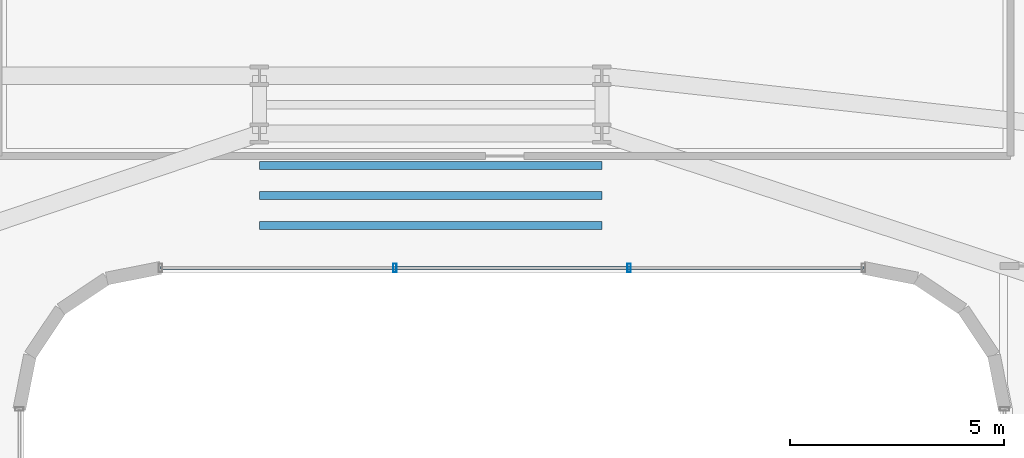
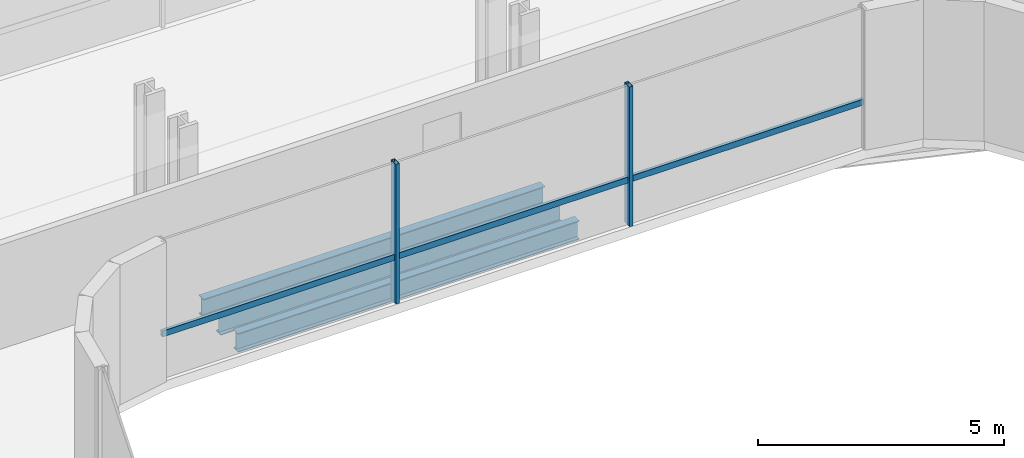
# One storey, part 14 of 39: 3 beams, 3 members, 1 element without a shape of its own.
"""IFC4 building model written with IfcOpenShell, lengths in metres."""

from ifc_helpers import new_model, si_unit, direction, frame, origin, origin_2d, place, context, subcontext, project, spatial, hollow_rectangle, i_section, extrude, source, transform, mapped, material, material_profile, profile_set, type_object, element, aggregate, save


model = new_model("IFC4")

# Units and contexts
model_context = context("Model", 3, precision=1e-05, world=origin(), true_north=direction((0.0, 1.0)))
body_context = subcontext(model_context, "Body", "Model", "MODEL_VIEW")
ifc_project = project(units=[si_unit("LENGTHUNIT", "METRE"), si_unit("AREAUNIT", "SQUARE_METRE"), si_unit("VOLUMEUNIT", "CUBIC_METRE"), si_unit("PLANEANGLEUNIT", "RADIAN"), si_unit("MASSUNIT", "GRAM", prefix="KILO")], contexts=[model_context])

# Site, building, storey
site_placement = place(None, origin())
site = spatial("IfcSite", under=ifc_project, at=site_placement, CompositionType="ELEMENT")
building_placement = place(site_placement, origin())
building = spatial("IfcBuilding", under=site, at=building_placement, Name="Valdorenza Pilgrim Sanctuary Tower", CompositionType="ELEMENT")
storey_placement = place(building_placement, frame((0.0, 0.0, 70.39990234375)))
storey = spatial("IfcBuildingStorey", under=building, at=storey_placement, Name="L17", CompositionType="ELEMENT", Elevation=70.39990234375)

# Beams
ifc_material_1 = material(Name="Steel ASTM A992 Grade 50", Category="steel")
ifc_material_profile_1 = material_profile(ifc_material_1, i_section(OverallWidth=0.193115234375, OverallDepth=0.466064453125, WebThickness=0.011474609375, FlangeThickness=0.01904296875, at=origin_2d()), Name="W18X65")
ifc_profile_set_1 = profile_set([ifc_material_profile_1], Name="Steel ASTM A992 Grade 50")
beam_type = type_object("IfcBeamType", Name="STR-BM-JST-W18A", PredefinedType="JOIST", material=ifc_profile_set_1)
shared_shape_1 = source(origin(), body_context, "Body", "SweptSolid", [
    extrude(i_section(OverallWidth=0.193115234375, OverallDepth=0.466064453125, WebThickness=0.011474609375, FlangeThickness=0.01904296875, at=origin_2d()), origin(), (0.0, 0.0, 1.0), 8.0),
])
for number, where, z_axis, x_axis, name in (
    (1, (-4.0, 11.300048828125, -0.472900390625), (1.0, 0.0, 0.0), (0.0, 1.0, 0.0), "L17 Knuckle Composite Joist JST-KNK-1"),
    (2, (-4.0, 12.0, -0.472900390625), (1.0, 0.0, 0.0), (0.0, 1.0, 0.0), "L17 Knuckle Composite Joist JST-KNK-2"),
    (3, (-4.0, 12.699951171875, -0.472900390625), (1.0, 0.0, 0.0), (0.0, 1.0, 0.0), "L17 Knuckle Composite Joist JST-KNK-3"),
):
    element("IfcBeam", number, at=place(storey_placement, frame(where, z_axis=z_axis, x_axis=x_axis)), inside=storey, type_object=beam_type, Name=name, PredefinedType="JOIST", context=body_context, shape_type="MappedRepresentation", body=[
        mapped(shared_shape_1, transform((0.0, 0.0, 0.0), x_axis=(1.0, 0.0, 0.0), y_axis=(0.0, 1.0, 0.0), z_axis=(0.0, 0.0, 1.0), scale=1.0)),
    ])

# Curtain wall, members
ifc_material_2 = material(Name="Curtain-wall IGU glazing", Category="glass")
curtain_wall_type = type_object("IfcCurtainWallType", Name="CW-SYS-02", PredefinedType="NOTDEFINED", material=ifc_material_2)
curtain_wall_placement = place(storey_placement, origin())
curtain_wall = element("IfcCurtainWall", 4, at=curtain_wall_placement, inside=storey, type_object=curtain_wall_type, Name="L17 Curtain Wall CW-L17-1-36", PredefinedType="NOTDEFINED")
ifc_material_3 = material(Name="Anodised aluminium AW-6060", Category="aluminium")
ifc_material_profile_2 = material_profile(ifc_material_3, hollow_rectangle(XDim=0.074951171875, YDim=0.14990234375, WallThickness=0.00390625, at=origin_2d()), Name="ALU-T 150x75x4")
ifc_profile_set_2 = profile_set([ifc_material_profile_2], Name="Anodised aluminium AW-6060")
member_type_1 = type_object("IfcMemberType", Name="CW-TRN-02", PredefinedType="USERDEFINED", material=ifc_profile_set_2)
shared_shape_2 = source(origin(), body_context, "Body", "SweptSolid", [
    extrude(hollow_rectangle(XDim=0.074951171875, YDim=0.14990234375, WallThickness=0.00390625, at=origin_2d()), origin(), (0.0, 0.0, 1.0), 16.421630859375),
])
member_1_placement = place(storey_placement, frame((10.11083984375, 10.31005859375, 1.1201171875), z_axis=(-1.0, 0.0, 0.0), x_axis=(0.0, -1.0, 0.0)))
member_1 = element("IfcMember", 5, at=member_1_placement, type_object=member_type_1, Name="CW-L17-1-36 Transom 1", ObjectType="TRANSOM", PredefinedType="USERDEFINED", context=body_context, shape_type="MappedRepresentation", body=[
    mapped(shared_shape_2, transform((0.0, 0.0, 0.0), x_axis=(1.0, 0.0, 0.0), y_axis=(0.0, 1.0, 0.0), z_axis=(0.0, 0.0, 1.0), scale=1.0)),
])
ifc_material_profile_3 = material_profile(ifc_material_3, hollow_rectangle(XDim=0.0849609375, YDim=0.199951171875, WallThickness=0.0048828125, at=origin_2d()), Name="ALU-M 200x85x5")
ifc_profile_set_3 = profile_set([ifc_material_profile_3], Name="Anodised aluminium AW-6060")
member_type_2 = type_object("IfcMemberType", Name="CW-MUL-02", PredefinedType="MULLION", material=ifc_profile_set_3)
shared_shape_3 = source(origin(), body_context, "Body", "SweptSolid", [
    extrude(hollow_rectangle(XDim=0.0849609375, YDim=0.199951171875, WallThickness=0.0048828125, at=origin_2d()), origin(), (0.0, 0.0, 1.0), 3.460205078125),
])
member_2_placement = place(storey_placement, frame((4.636962890625, 10.31005859375, 0.0), z_axis=(0.0, 0.0, 1.0), x_axis=(-1.0, 0.0, 0.0)))
member_2 = element("IfcMember", 6, at=member_2_placement, type_object=member_type_2, Name="CW-L17-1-36 Mullion 2", PredefinedType="MULLION", context=body_context, shape_type="MappedRepresentation", body=[
    mapped(shared_shape_3, transform((0.0, 0.0, 0.0), x_axis=(1.0, 0.0, 0.0), y_axis=(0.0, 1.0, 0.0), z_axis=(0.0, 0.0, 1.0), scale=1.0)),
])
member_3_placement = place(storey_placement, frame((-0.8369140625, 10.31005859375, 0.0), z_axis=(0.0, 0.0, 1.0), x_axis=(-1.0, 0.0, 0.0)))
member_3 = element("IfcMember", 7, at=member_3_placement, type_object=member_type_2, Name="CW-L17-1-36 Mullion 3", PredefinedType="MULLION", context=body_context, shape_type="MappedRepresentation", body=[
    mapped(shared_shape_3, transform((0.0, 0.0, 0.0), x_axis=(1.0, 0.0, 0.0), y_axis=(0.0, 1.0, 0.0), z_axis=(0.0, 0.0, 1.0), scale=1.0)),
])
aggregate(curtain_wall, [member_2, member_3, member_1])

save(model, "model.ifc")
